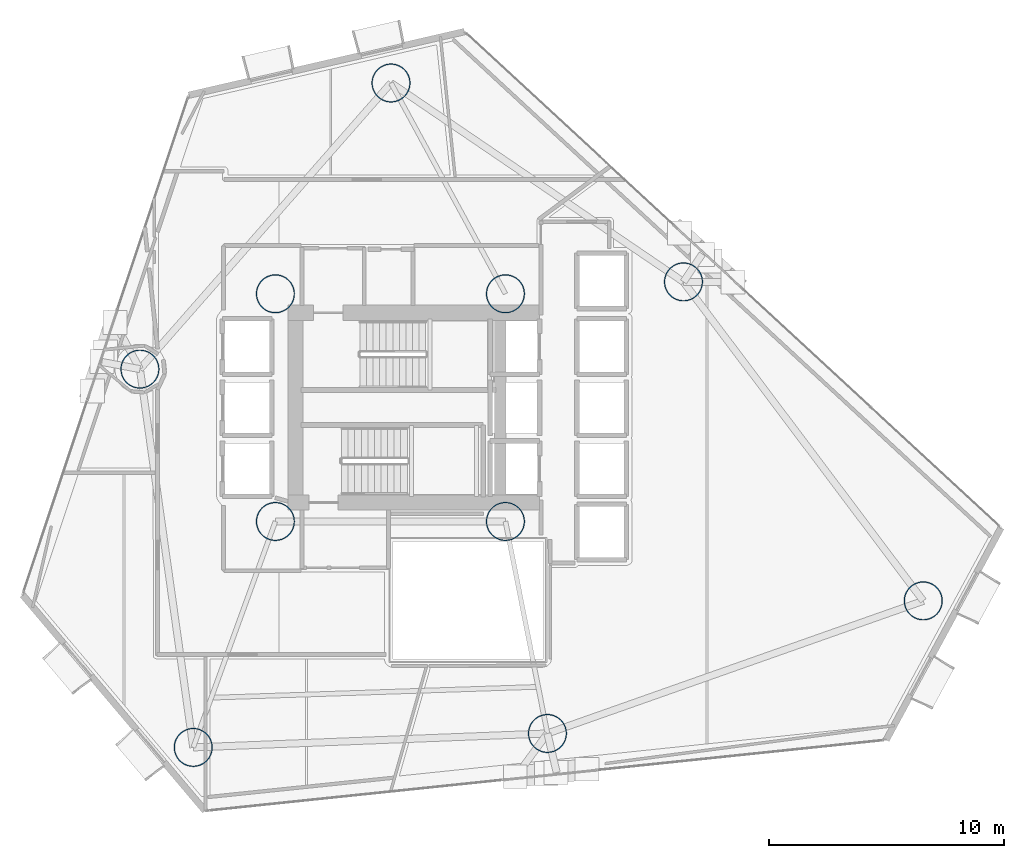
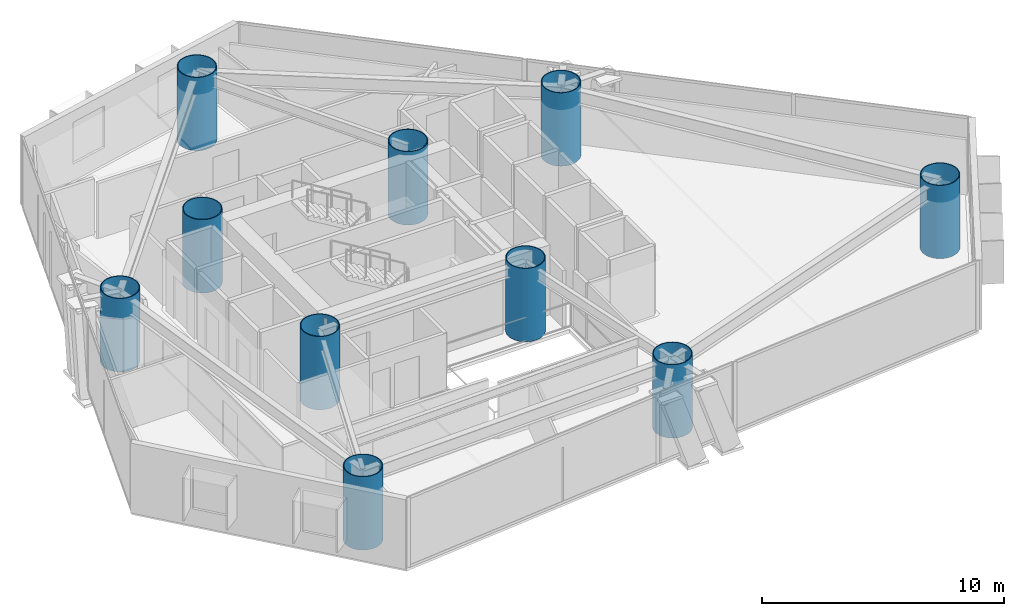
# One storey, part 1 of 23: 10 columns.
"""IFC4 building model written with IfcOpenShell, lengths in metres."""

import ifcopenshell
import ifcopenshell.guid

model = None  # the IFC model being written
_history = None  # IfcOwnerHistory: only IFC2X3 demands one
_inside = {}  # id of a spatial element -> (the spatial element, [elements in it])
_under = {}  # id of a project, library or spatial element -> (it, [spatial elements below it])
_declared = {}  # id of a project -> (the project, [libraries it declares])
_typed = {}  # id of a type object -> (the type object, [elements of that type])
_made_of = {}  # id of a material, layer set ... -> (it, [elements and type objects made of it])


def new_model(schema):
    """Start an empty IFC model of exactly this schema.

    Asked for "IFC4X3", IfcOpenShell would pick the latest addendum, in which some entities
    have other attributes; the version numbers below select the first issue.
    IFC2X3 requires an IfcOwnerHistory on every rooted entity: one is made here for all.
    """
    global model, _history
    if schema == "IFC4X3":
        model = ifcopenshell.file(schema_version=(4, 3, 0, 0))
    else:
        model = ifcopenshell.file(schema=schema)
    _inside.clear()
    _under.clear()
    _declared.clear()
    _typed.clear()
    _made_of.clear()
    _history = None
    if model.schema == "IFC2X3":
        org = make("IfcOrganization", Name="unknown")
        user = make(
            "IfcPersonAndOrganization",
            ThePerson=make("IfcPerson", FamilyName="unknown"),
            TheOrganization=org,
        )
        app = make(
            "IfcApplication",
            ApplicationDeveloper=org,
            Version="unknown",
            ApplicationFullName="unknown",
            ApplicationIdentifier="unknown",
        )
        _history = make(
            "IfcOwnerHistory",
            OwningUser=user,
            OwningApplication=app,
            ChangeAction="ADDED",
            CreationDate=0,
        )
    return model


def make(cls, **values):
    """One entity of the class cls with the attributes given. An attribute that is None is left unset."""
    return model.create_entity(
        cls, **{name: value for name, value in values.items() if value is not None}
    )


def rooted(cls, **values):
    """An entity with a GlobalId (a new one), such as an element, a storey or a relation."""
    return make(cls, GlobalId=ifcopenshell.guid.new(), OwnerHistory=_history, **values)


def si_unit(unit_type, name, prefix=None):
    """IfcSIUnit, for example si_unit("LENGTHUNIT", "METRE", prefix="MILLI")."""
    return make("IfcSIUnit", UnitType=unit_type, Prefix=prefix, Name=name)


def assignment(units):
    """IfcUnitAssignment: the units of a project."""
    return None if units is None else make("IfcUnitAssignment", Units=units)


def point(xyz):
    """IfcCartesianPoint."""
    return None if xyz is None else make("IfcCartesianPoint", Coordinates=xyz)


def direction(xyz):
    """IfcDirection."""
    return None if xyz is None else make("IfcDirection", DirectionRatios=xyz)


def frame(location, z_axis=None, x_axis=None):
    """IfcAxis2Placement3D, a coordinate frame: its origin and axes. An axis left out is left unset."""
    return make(
        "IfcAxis2Placement3D",
        Location=point(location),
        Axis=direction(z_axis),
        RefDirection=direction(x_axis),
    )


def frame_2d(location, x_axis=None):
    """IfcAxis2Placement2D, a coordinate frame in the plane: its origin and x axis."""
    return make(
        "IfcAxis2Placement2D", Location=point(location), RefDirection=direction(x_axis)
    )


def origin():
    """The frame at (0, 0, 0) with its axes left unset."""
    return frame((0.0, 0.0, 0.0))


def origin_2d():
    """The frame at (0, 0) in the plane with its x axis left unset."""
    return frame_2d((0.0, 0.0))


def place(relative_to, where):
    """IfcLocalPlacement: puts the frame where relative to a parent placement (None: the world)."""
    return make(
        "IfcLocalPlacement", PlacementRelTo=relative_to, RelativePlacement=where
    )


def context(
    kind, dimensions, precision=None, world=None, true_north=None, identifier=None
):
    """IfcGeometricRepresentationContext, for example the 3D "Model" context."""
    return make(
        "IfcGeometricRepresentationContext",
        ContextIdentifier=identifier,
        ContextType=kind,
        CoordinateSpaceDimension=dimensions,
        Precision=precision,
        WorldCoordinateSystem=world,
        TrueNorth=true_north,
    )


def subcontext(parent, identifier, kind, view, scale=None):
    """IfcGeometricRepresentationSubContext, for example "Body" below "Model"."""
    return make(
        "IfcGeometricRepresentationSubContext",
        ContextIdentifier=identifier,
        ContextType=kind,
        ParentContext=parent,
        TargetScale=scale,
        TargetView=view,
    )


def project(units=None, contexts=None):
    """IfcProject with its units and contexts."""
    return rooted(
        "IfcProject",
        Name="project",
        RepresentationContexts=contexts,
        UnitsInContext=assignment(units),
    )


def spatial(cls, under=None, at=None, **own):
    """A site, building, storey or space (cls), placed at a placement, below another one or the project."""
    s = rooted(cls, ObjectPlacement=at, **own)
    if under is not None:
        _under.setdefault(under.id(), (under, []))[1].append(s)
    return s


def profile(cls, at=None, kind="AREA", **sizes):
    """A parametric profile (cls). Its sizes go by their IFC names, for example OverallWidth=200.0."""
    return make(cls, ProfileType=kind, Position=at, **sizes)


def hollow_circle(**sizes):
    """IfcCircleHollowProfileDef."""
    return profile("IfcCircleHollowProfileDef", **sizes)


def extrude(swept, where, along, depth):
    """IfcExtrudedAreaSolid: the profile swept, set in the frame where, extruded along a direction by depth."""
    return make(
        "IfcExtrudedAreaSolid",
        SweptArea=swept,
        Position=where,
        ExtrudedDirection=direction(along),
        Depth=depth,
    )


def shape(context_of_items, identifier, shape_type, items):
    """IfcShapeRepresentation: the items that make up one representation, for example the "Body"."""
    return make(
        "IfcShapeRepresentation",
        ContextOfItems=context_of_items,
        RepresentationIdentifier=identifier,
        RepresentationType=shape_type,
        Items=items,
    )


def material(Name=None, Category=None):
    """IfcMaterial."""
    return make("IfcMaterial", Name=Name, Category=Category)


def material_profile(
    of_material, cross_section, Name=None, Category=None, Priority=None
):
    """IfcMaterialProfile: a cross section and its material."""
    return make(
        "IfcMaterialProfile",
        Name=Name,
        Material=of_material,
        Profile=cross_section,
        Priority=Priority,
        Category=Category,
    )


def profile_set(profiles, Name=None, composite=None):
    """IfcMaterialProfileSet."""
    return make(
        "IfcMaterialProfileSet",
        Name=Name,
        MaterialProfiles=profiles,
        CompositeProfile=composite,
    )


def made_of(thing, what):
    """Note that an element or type object is made of a material, layer set ...; save() writes the relation."""
    if what is not None:
        _made_of.setdefault(what.id(), (what, []))[1].append(thing)
    return thing


def type_object(cls, material=None, **own):
    """A type object (cls), such as IfcWallType, which elements share."""
    return made_of(rooted(cls, **own), material)


def element(
    cls,
    number,
    at=None,
    inside=None,
    cuts=None,
    type_object=None,
    material=None,
    context=None,
    identifier="Body",
    shape_type=None,
    held_by="IfcProductDefinitionShape",
    body=None,
    shapes=None,
    **own,
):
    """One element of the class cls, such as IfcWall. Its Tag is "e" and its number.

    at: its placement. inside: the storey or other place that contains it. cuts: it is an
    opening in that element (IfcRelVoidsElement). A single representation is given by context,
    identifier, shape_type and body (its items); several are given by shapes. held_by: the class
    of the entity that holds the representations. save() writes the other relations.
    """
    e = rooted(cls, Tag="e%d" % number, ObjectPlacement=at, **own)
    if body is not None:
        shapes = [shape(context, identifier, shape_type, body)]
    if shapes is not None:
        e.Representation = make(held_by, Representations=shapes)
    if inside is not None:
        _inside.setdefault(inside.id(), (inside, []))[1].append(e)
    if cuts is not None:
        rooted(
            "IfcRelVoidsElement", RelatingBuildingElement=cuts, RelatedOpeningElement=e
        )
    if type_object is not None:
        _typed.setdefault(type_object.id(), (type_object, []))[1].append(e)
    return made_of(e, material)


def aggregate(whole, parts):
    """IfcRelAggregates: a whole, such as a stair, and the parts it consists of."""
    return rooted("IfcRelAggregates", RelatingObject=whole, RelatedObjects=parts)


def save(model, path):
    """Write the relations noted so far, then the file.

    IfcRelAggregates (storeys below a building ...), IfcRelContainedInSpatialStructure (elements
    in a storey), IfcRelDefinesByType, IfcRelAssociatesMaterial and IfcRelDeclares: one each for
    every whole, place, type object, material and project.
    """
    for whole, parts in _under.values():
        aggregate(whole, parts)
    for where, things in _inside.values():
        rooted(
            "IfcRelContainedInSpatialStructure",
            RelatedElements=things,
            RelatingStructure=where,
        )
    for kind, things in _typed.values():
        rooted("IfcRelDefinesByType", RelatedObjects=things, RelatingType=kind)
    for what, things in _made_of.values():
        rooted("IfcRelAssociatesMaterial", RelatedObjects=things, RelatingMaterial=what)
    for by, libraries in _declared.values():
        rooted("IfcRelDeclares", RelatingContext=by, RelatedDefinitions=libraries)
    model.write(path)


model = new_model("IFC4")

# Units and contexts
model_context = context("Model", 3, precision=1e-05, world=origin(), true_north=direction((0.0, 1.0)))
body_context = subcontext(model_context, "Body", "Model", "MODEL_VIEW")
ifc_project = project(units=[si_unit("LENGTHUNIT", "METRE"), si_unit("AREAUNIT", "SQUARE_METRE"), si_unit("VOLUMEUNIT", "CUBIC_METRE"), si_unit("PLANEANGLEUNIT", "RADIAN"), si_unit("MASSUNIT", "GRAM", prefix="KILO")], contexts=[model_context])

# Site, building, storey
site_placement = place(None, origin())
site = spatial("IfcSite", under=ifc_project, at=site_placement, CompositionType="ELEMENT")
building_placement = place(site_placement, origin())
building = spatial("IfcBuilding", under=site, at=building_placement, Name="Qianvela Tower", CompositionType="ELEMENT")
storey_placement = place(building_placement, frame((0.0, 0.0, 67.300048828125)))
storey = spatial("IfcBuildingStorey", under=building, at=storey_placement, Name="L16", CompositionType="ELEMENT", Elevation=67.300048828125)

# Columns
ifc_material = material(Name="Steel Q420GJC", Category="steel")
ifc_material_profile = material_profile(ifc_material, hollow_circle(Radius=0.824951171875, WallThickness=0.0400390625, at=origin_2d()), Name="CFT-1650x40")
ifc_profile_set = profile_set([ifc_material_profile], Name="Steel Q420GJC")
column_type = type_object("IfcColumnType", Name="COL-CFT-1650x40", PredefinedType="COLUMN", material=ifc_profile_set)
for number, where, z_axis, x_axis, name in (
    (1, (28.60009765625, 33.550048828125, 0.0), (0.0, 0.0, 1.0), (1.0, 0.0, 0.0), "L16 Core Corner Mega-Column CC-NW"),
    (2, (28.60009765625, 23.85009765625, 0.0), (0.0, 0.0, 1.0), (1.0, 0.0, 0.0), "L16 Core Corner Mega-Column CC-SW"),
    (3, (38.39990234375, 33.550048828125, 0.0), (0.0, 0.0, 1.0), (1.0, 0.0, 0.0), "L16 Core Corner Mega-Column CC-NE"),
    (4, (38.39990234375, 23.85009765625, 0.0), (0.0, 0.0, 1.0), (1.0, 0.0, 0.0), "L16 Core Corner Mega-Column CC-SE"),
    (5, (56.198974609375, 20.468017578125, 0.0), (0.0, 0.0, 1.0), (1.0, 0.0, 0.0), "L16 Zone Z2 CFT Mega-Column C1"),
    (6, (45.98388671875, 34.056884765625, 0.0), (0.0, 0.0, 1.0), (1.0, 0.0, 0.0), "L16 Zone Z2 CFT Mega-Column C2"),
    (7, (33.52587890625, 42.529052734375, 0.0), (0.0, 0.0, 1.0), (1.0, 0.0, 0.0), "L16 Zone Z2 CFT Mega-Column C3"),
    (8, (22.8291015625, 30.340087890625, 0.0), (0.0, 0.0, 1.0), (1.0, 0.0, 0.0), "L16 Zone Z2 CFT Mega-Column C4"),
    (9, (25.10009765625, 14.22509765625, 0.0), (0.0, 0.0, 1.0), (1.0, 0.0, 0.0), "L16 Zone Z2 CFT Mega-Column C5"),
    (10, (40.18896484375, 14.819091796875, 0.0), (0.0, 0.0, 1.0), (1.0, 0.0, 0.0), "L16 Zone Z2 CFT Mega-Column C6"),
):
    element("IfcColumn", number, at=place(storey_placement, frame(where, z_axis=z_axis, x_axis=x_axis)), inside=storey, type_object=column_type, Name=name, PredefinedType="COLUMN", context=body_context, shape_type="SweptSolid", body=[
        extrude(hollow_circle(Radius=0.824951171875, WallThickness=0.0400390625, at=origin_2d()), origin(), (0.0, 0.0, 1.0), 3.699951171875),
    ])

save(model, "model.ifc")
